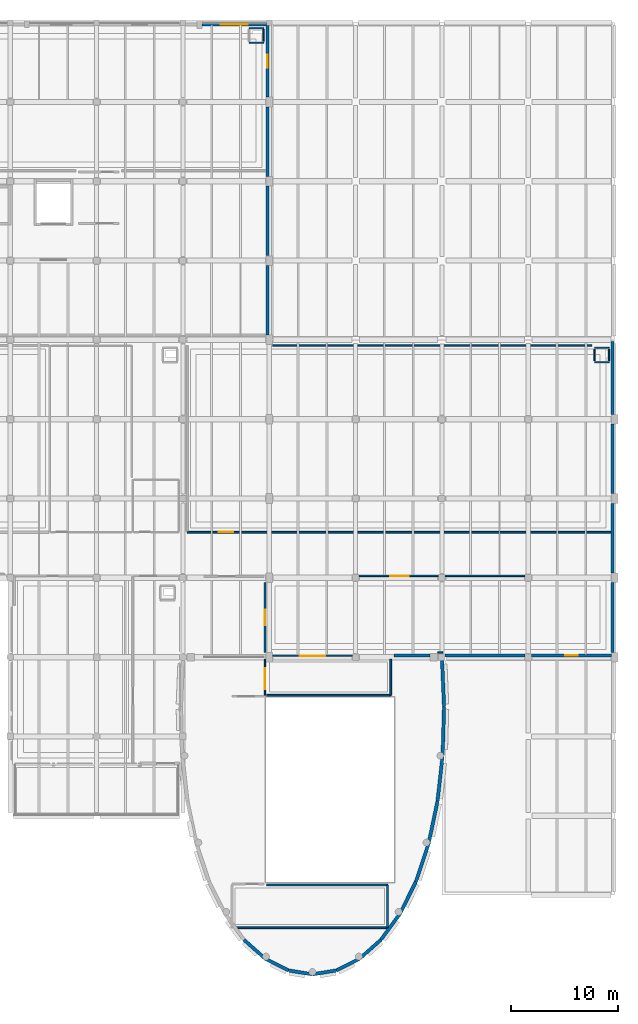
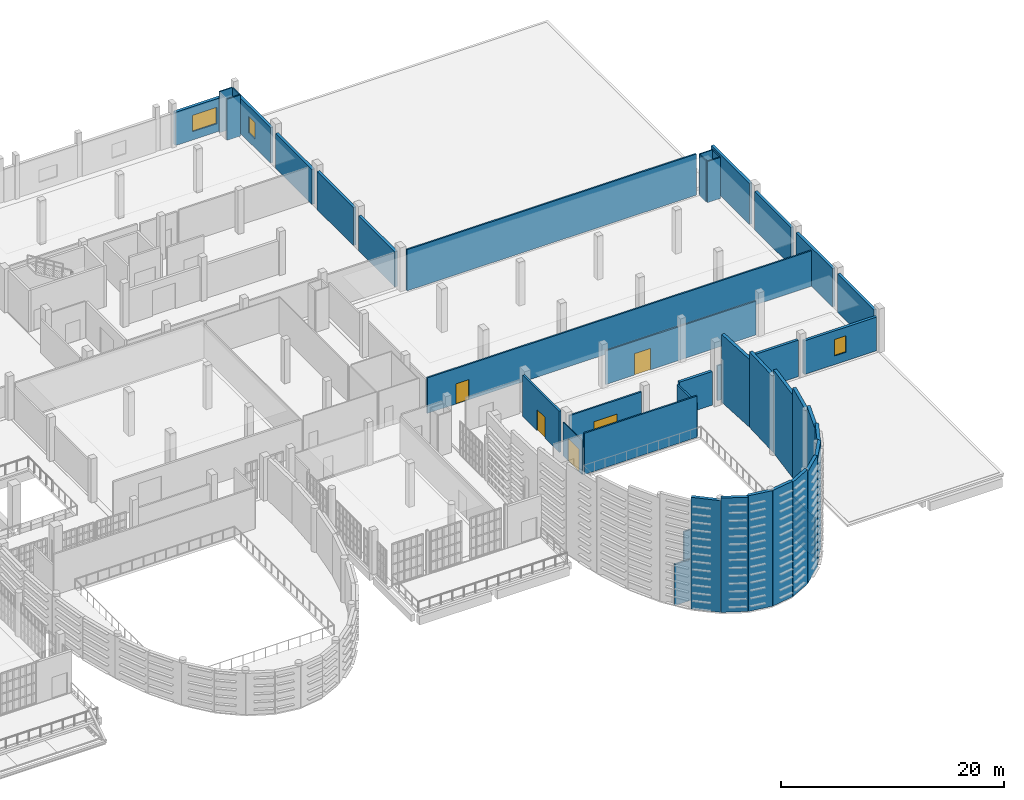
# One storey, part 95 of 104: 44 walls, 4 doors, 4 windows, 8 openings.
"""IFC4 building model written with IfcOpenShell, lengths in metres."""

from ifc_helpers import new_model, si_unit, direction, frame, frame_2d, origin, place, context, subcontext, project, spatial, rectangle, extrude, material, layer, layer_set, type_object, element, fill, save


model = new_model("IFC4")

# Units and contexts
model_context = context("Model", 3, precision=1e-05, world=origin(), true_north=direction((0.0, 1.0)))
body_context = subcontext(model_context, "Body", "Model", "MODEL_VIEW")
ifc_project = project(units=[si_unit("LENGTHUNIT", "METRE"), si_unit("AREAUNIT", "SQUARE_METRE"), si_unit("VOLUMEUNIT", "CUBIC_METRE"), si_unit("PLANEANGLEUNIT", "RADIAN"), si_unit("MASSUNIT", "GRAM", prefix="KILO")], contexts=[model_context])

# Site, building, storey
site_placement = place(None, origin())
site = spatial("IfcSite", under=ifc_project, at=site_placement, CompositionType="ELEMENT")
building_placement = place(site_placement, origin())
building = spatial("IfcBuilding", under=site, at=building_placement, Name="Kaelora Sail Theatre", CompositionType="ELEMENT")
storey_placement = place(building_placement, frame((0.0, 0.0, 5.39990234375)))
storey = spatial("IfcBuildingStorey", under=building, at=storey_placement, Name="L01", CompositionType="ELEMENT", Elevation=5.39990234375)

# Walls
ifc_material_1 = material(Name="Concrete C45/55", Category="concrete")
ifc_layer_1 = layer(ifc_material_1, 0.320068359375)
ifc_layer_set_1 = layer_set([ifc_layer_1], Name="Concrete C45/55")
wall_type_1 = type_object("IfcWallType", Name="ARC-WL-DW-320", PredefinedType="SHEAR", material=ifc_layer_set_1)
wall_1_placement = place(storey_placement, frame((147.300048828125, 53.580078125, 0.0), z_axis=(0.0, 0.0, 1.0), x_axis=(0.042491348944, -0.999096834779, 0.0)))
element("IfcWall", 1, at=wall_1_placement, inside=storey, type_object=wall_type_1, Name="Black-Box and Experimental Sail Wing curved drum acoustic wall L01 chord 1", PredefinedType="SHEAR", context=body_context, shape_type="SweptSolid", body=[
    extrude(rectangle(XDim=4.65966796875, YDim=0.320068359375, at=frame_2d((2.329833984375, 0.0))), origin(), (0.0, 0.0, 1.0), 7.417236328125),
])
wall_2_placement = place(storey_placement, frame((147.498046875, 48.924560546875, 0.0), z_axis=(0.0, 0.0, 1.0), x_axis=(-0.028914192202, -0.99958189734, 0.0)))
element("IfcWall", 2, at=wall_2_placement, inside=storey, type_object=wall_type_1, Name="Black-Box and Experimental Sail Wing curved drum acoustic wall L01 chord 2", PredefinedType="SHEAR", context=body_context, shape_type="SweptSolid", body=[
    extrude(rectangle(XDim=4.542724609375, YDim=0.320068359375, at=frame_2d((2.271484375, 0.0))), origin(), (0.0, 0.0, 1.0), 8.2607421875),
])
wall_3_placement = place(storey_placement, frame((147.36669921875, 44.3837890625, 0.0), z_axis=(0.0, 0.0, 1.0), x_axis=(-0.110727786474, -0.99385077215, 0.0)))
element("IfcWall", 3, at=wall_3_placement, inside=storey, type_object=wall_type_1, Name="Black-Box and Experimental Sail Wing curved drum acoustic wall L01 chord 3", PredefinedType="SHEAR", context=body_context, shape_type="SweptSolid", body=[
    extrude(rectangle(XDim=4.34130859375, YDim=0.320068359375, at=frame_2d((2.170654296875, 0.0))), origin(), (0.0, 0.0, 1.0), 9.084716796875),
])
wall_4_placement = place(storey_placement, frame((146.885986328125, 40.069091796875, 0.0), z_axis=(0.0, 0.0, 1.0), x_axis=(-0.205581027368, -0.978640097884, 0.0)))
element("IfcWall", 4, at=wall_4_placement, inside=storey, type_object=wall_type_1, Name="Black-Box and Experimental Sail Wing curved drum acoustic wall L01 chord 4", PredefinedType="SHEAR", context=body_context, shape_type="SweptSolid", body=[
    extrude(rectangle(XDim=4.068603515625, YDim=0.320068359375, at=frame_2d((2.0341796875, 0.0))), origin(), (0.0, 0.0, 1.0), 9.879150390625),
])
wall_5_placement = place(storey_placement, frame((146.049560546875, 36.08740234375, 0.0), z_axis=(0.0, 0.0, 1.0), x_axis=(-0.316169058551, -0.948702865188, 0.0)))
element("IfcWall", 5, at=wall_5_placement, inside=storey, type_object=wall_type_1, Name="Black-Box and Experimental Sail Wing curved drum acoustic wall L01 chord 5", PredefinedType="SHEAR", context=body_context, shape_type="SweptSolid", body=[
    extrude(rectangle(XDim=3.74267578125, YDim=0.320068359375, at=frame_2d((1.871337890625, 0.0))), origin(), (0.0, 0.0, 1.0), 10.6005859375),
])
wall_6_placement = place(storey_placement, frame((144.8662109375, 32.53662109375, 0.0), z_axis=(0.0, 0.0, 1.0), x_axis=(-0.444413541931, -0.895821747754, 0.0)))
element("IfcWall", 6, at=wall_6_placement, inside=storey, type_object=wall_type_1, Name="Black-Box and Experimental Sail Wing curved drum acoustic wall L01 chord 6", PredefinedType="SHEAR", context=body_context, shape_type="SweptSolid", body=[
    extrude(rectangle(XDim=3.3857421875, YDim=0.320068359375, at=frame_2d((1.69287109375, 0.0))), origin(), (0.0, 0.0, 1.0), 11.2529296875),
])
wall_7_placement = place(storey_placement, frame((143.361572265625, 29.503662109375, 0.0), z_axis=(0.0, 0.0, 1.0), x_axis=(-0.590526669923, -0.80701812378, 0.0)))
element("IfcWall", 7, at=wall_7_placement, inside=storey, type_object=wall_type_1, Name="Black-Box and Experimental Sail Wing curved drum acoustic wall L01 chord 7", PredefinedType="SHEAR", context=body_context, shape_type="SweptSolid", body=[
    extrude(rectangle(XDim=3.0234375, YDim=0.320068359375, at=frame_2d((1.51171875, 0.0))), origin(), (0.0, 0.0, 1.0), 11.79931640625),
])
wall_8_placement = place(storey_placement, frame((141.576171875, 27.063720703125, 0.0), z_axis=(0.0, 0.0, 1.0), x_axis=(-0.747369254982, -0.664408907757, 0.0)))
element("IfcWall", 8, at=wall_8_placement, inside=storey, type_object=wall_type_1, Name="Black-Box and Experimental Sail Wing curved drum acoustic wall L01 chord 8", PredefinedType="SHEAR", context=body_context, shape_type="SweptSolid", body=[
    extrude(rectangle(XDim=2.689697265625, YDim=0.320068359375, at=frame_2d((1.3447265625, 0.0))), origin(), (0.0, 0.0, 1.0), 12.220947265625),
])
wall_9_placement = place(storey_placement, frame((139.56591796875, 25.276611328125, 0.0), z_axis=(0.0, 0.0, 1.0), x_axis=(-0.893358131495, -0.449345355925, 0.0)))
element("IfcWall", 9, at=wall_9_placement, inside=storey, type_object=wall_type_1, Name="Black-Box and Experimental Sail Wing curved drum acoustic wall L01 chord 9", PredefinedType="SHEAR", context=body_context, shape_type="SweptSolid", body=[
    extrude(rectangle(XDim=2.426513671875, YDim=0.320068359375, at=frame_2d((1.21337890625, 0.0))), origin(), (0.0, 0.0, 1.0), 12.50830078125),
])
for number, where, z_axis, x_axis, name in (
    (10, (137.398193359375, 24.186279296875, 0.0), (0.0, 0.0, 1.0), (-0.986992640534, -0.160765442589, 0.0), "Black-Box and Experimental Sail Wing curved drum acoustic wall L01 chord 10"),
    (11, (135.14990234375, 23.820068359375, 0.0), (0.0, 0.0, 1.0), (-0.986992640534, 0.160765442589, 0.0), "Black-Box and Experimental Sail Wing curved drum acoustic wall L01 chord 11"),
):
    element("IfcWall", number, at=place(storey_placement, frame(where, z_axis=z_axis, x_axis=x_axis)), inside=storey, type_object=wall_type_1, Name=name, PredefinedType="SHEAR", context=body_context, shape_type="SweptSolid", body=[
        extrude(rectangle(XDim=2.27783203125, YDim=0.320068359375, at=frame_2d((1.138916015625, 0.0))), origin(), (0.0, 0.0, 1.0), 12.653564453125),
    ])
wall_10_placement = place(storey_placement, frame((132.901611328125, 24.186279296875, 0.0), z_axis=(0.0, 0.0, 1.0), x_axis=(-0.893337813511, 0.449385748495, 0.0)))
element("IfcWall", 12, at=wall_10_placement, inside=storey, type_object=wall_type_1, Name="Black-Box and Experimental Sail Wing curved drum acoustic wall L01 chord 12", PredefinedType="SHEAR", context=body_context, shape_type="SweptSolid", body=[
    extrude(rectangle(XDim=2.42626953125, YDim=0.320068359375, at=frame_2d((1.213134765625, 0.0))), origin(), (0.0, 0.0, 1.0), 12.50830078125),
])
wall_11_placement = place(storey_placement, frame((130.734130859375, 25.276611328125, 0.0), z_axis=(0.0, 0.0, 1.0), x_axis=(-0.747369254982, 0.664408907757, 0.0)))
element("IfcWall", 13, at=wall_11_placement, inside=storey, type_object=wall_type_1, Name="Black-Box and Experimental Sail Wing curved drum acoustic wall L01 chord 13", PredefinedType="SHEAR", context=body_context, shape_type="SweptSolid", body=[
    extrude(rectangle(XDim=2.689697265625, YDim=0.320068359375, at=frame_2d((1.3447265625, 0.0))), origin(), (0.0, 0.0, 1.0), 12.220947265625),
])
ifc_material_2 = material(Name="Precast concrete C45/55", Category="concrete")
ifc_layer_2 = layer(ifc_material_2, 0.280029296875)
ifc_layer_set_2 = layer_set([ifc_layer_2], Name="Precast concrete C45/55")
wall_type_2 = type_object("IfcWallType", Name="ARC-WL-EW-280", PredefinedType="SOLIDWALL", material=ifc_layer_set_2)
wall_12_placement = place(storey_placement, frame((130.919921875, 83.794921875, 0.0), z_axis=(0.0, 0.0, 1.0), x_axis=(0.0, 1.0, 0.0)))
element("IfcWall", 14, at=wall_12_placement, inside=storey, type_object=wall_type_2, Name="Stepped Wing Facade Wall STEP-NW4-E-L01-S1", PredefinedType="SOLIDWALL", context=body_context, shape_type="SweptSolid", body=[
    extrude(rectangle(XDim=6.530029296875, YDim=0.280029296875, at=frame_2d((3.26513671875, 0.0))), origin(), (0.0, 0.0, 1.0), 3.837158203125),
])
wall_13_placement = place(storey_placement, frame((130.919921875, 91.235107421875, 0.0), z_axis=(0.0, 0.0, 1.0), x_axis=(0.0, 1.0, 0.0)))
element("IfcWall", 15, at=wall_13_placement, inside=storey, type_object=wall_type_2, Name="Stepped Wing Facade Wall STEP-NW4-E-L01-S2", PredefinedType="SOLIDWALL", context=body_context, shape_type="SweptSolid", body=[
    extrude(rectangle(XDim=6.52978515625, YDim=0.280029296875, at=frame_2d((3.264892578125, 0.0))), origin(), (0.0, 0.0, 1.0), 4.177001953125),
])
wall_14_placement = place(storey_placement, frame((130.919921875, 98.675048828125, 0.0), z_axis=(0.0, 0.0, 1.0), x_axis=(0.0, 1.0, 0.0)))
element("IfcWall", 16, at=wall_14_placement, inside=storey, type_object=wall_type_2, Name="Stepped Wing Facade Wall STEP-NW4-E-L01-S3", PredefinedType="SOLIDWALL", context=body_context, shape_type="SweptSolid", body=[
    extrude(rectangle(XDim=6.530029296875, YDim=0.280029296875, at=frame_2d((3.26513671875, 0.0))), origin(), (0.0, 0.0, 1.0), 3.837158203125),
])

# Wall, opening, window
wall_15_placement = place(storey_placement, frame((130.919921875, 106.114990234375, 0.0), z_axis=(0.0, 0.0, 1.0), x_axis=(0.0, 1.0, 0.0)))
wall_15 = element("IfcWall", 17, at=wall_15_placement, inside=storey, type_object=wall_type_2, Name="Stepped Wing Facade Wall STEP-NW4-E-L01-S4", PredefinedType="SOLIDWALL", context=body_context, shape_type="SweptSolid", body=[
    extrude(rectangle(XDim=6.72998046875, YDim=0.280029296875, at=frame_2d((3.364990234375, 0.0))), origin(), (0.0, 0.0, 1.0), 3.88720703125),
])
opening_1_placement = place(wall_15_placement, frame((2.764892578125, 0.0, 0.949951171875)))
opening_1 = element("IfcOpeningElement", 18, at=opening_1_placement, cuts=wall_15, Name="Opening W-05", PredefinedType="OPENING", context=body_context, shape_type="SweptSolid", body=[
    extrude(rectangle(XDim=1.199951171875, YDim=1.800048828125, at=frame_2d((0.60009765625, 0.89990234375))), frame((0.0, 0.150137, 0.0), z_axis=(0.0, -1.0, 0.0), x_axis=(1.0, 0.0, 0.0)), (0.0, 0.0, 1.0), 0.300029),
])
ifc_material_3 = material(Name="Thermally broken aluminium and low-E double glazing", Category="aluminium")
window_type_1 = type_object("IfcWindowType", Name="ARC-WIN-W-05", PartitioningType="SINGLE_PANEL", PredefinedType="WINDOW", material=ifc_material_3)
window_1_placement = place(opening_1_placement, origin())
window_1 = element("IfcWindow", 19, at=window_1_placement, inside=storey, type_object=window_type_1, Name="Stepped Wing Window STEP-NW4-E-L01-S4", OverallHeight=1.800048828125, OverallWidth=1.199951171875, PartitioningType="SINGLE_PANEL", PredefinedType="WINDOW", context=body_context, shape_type="SweptSolid", body=[
    extrude(rectangle(XDim=1.199951171875, YDim=1.800048828125, at=frame_2d((0.60009765625, 0.89990234375))), frame((0.0, 0.030029296875, 0.0), z_axis=(0.0, -1.0, 0.0), x_axis=(1.0, 0.0, 0.0)), (0.0, 0.0, 1.0), 0.06005859375),
])
fill(opening_1, window_1)

# Walls
wall_16_placement = place(storey_placement, frame((142.800048828125, 53.719970703125, 0.0), z_axis=(0.0, 0.0, 1.0), x_axis=(1.0, 0.0, 0.0)))
element("IfcWall", 20, at=wall_16_placement, inside=storey, type_object=wall_type_2, Name="Stepped Wing Facade Wall FE1-S-L01-S1", PredefinedType="SOLIDWALL", context=body_context, shape_type="SweptSolid", body=[
    extrude(rectangle(XDim=3.39501953125, YDim=0.280029296875, at=frame_2d((1.697509765625, 0.0))), origin(), (0.0, 0.0, 1.0), 3.68701171875),
])
wall_17_placement = place(storey_placement, frame((147.60498046875, 53.719970703125, 0.0), z_axis=(0.0, 0.0, 1.0), x_axis=(1.0, 0.0, 0.0)))
element("IfcWall", 21, at=wall_17_placement, inside=storey, type_object=wall_type_2, Name="Stepped Wing Facade Wall FE1-S-L01-S2", PredefinedType="SOLIDWALL", context=body_context, shape_type="SweptSolid", body=[
    extrude(rectangle(XDim=7.489990234375, YDim=0.280029296875, at=frame_2d((3.7451171875, 0.0))), origin(), (0.0, 0.0, 1.0), 3.987060546875),
])

# Wall, opening, window
wall_18_placement = place(storey_placement, frame((155.705078125, 53.719970703125, 0.0), z_axis=(0.0, 0.0, 1.0), x_axis=(1.0, 0.0, 0.0)))
wall_18 = element("IfcWall", 22, at=wall_18_placement, inside=storey, type_object=wall_type_2, Name="Stepped Wing Facade Wall FE1-S-L01-S3", PredefinedType="SOLIDWALL", context=body_context, shape_type="SweptSolid", body=[
    extrude(rectangle(XDim=7.489990234375, YDim=0.280029296875, at=frame_2d((3.7451171875, 0.0))), origin(), (0.0, 0.0, 1.0), 3.68701171875),
])
opening_2_placement = place(wall_18_placement, frame((3.14501953125, 0.0, 0.949951171875)))
opening_2 = element("IfcOpeningElement", 23, at=opening_2_placement, cuts=wall_18, Name="Opening W-05", PredefinedType="OPENING", context=body_context, shape_type="SweptSolid", body=[
    extrude(rectangle(XDim=1.199951171875, YDim=1.800048828125, at=frame_2d((0.60009765625, 0.89990234375))), frame((0.0, 0.150137, 0.0), z_axis=(0.0, -1.0, 0.0), x_axis=(1.0, 0.0, 0.0)), (0.0, 0.0, 1.0), 0.300029),
])
window_2_placement = place(opening_2_placement, origin())
window_2 = element("IfcWindow", 24, at=window_2_placement, inside=storey, type_object=window_type_1, Name="Stepped Wing Window FE1-S-L01-S3", OverallHeight=1.800048828125, OverallWidth=1.199951171875, PartitioningType="SINGLE_PANEL", PredefinedType="WINDOW", context=body_context, shape_type="SweptSolid", body=[
    extrude(rectangle(XDim=1.199951171875, YDim=1.800048828125, at=frame_2d((0.60009765625, 0.89990234375))), frame((0.0, 0.030029296875, 0.0), z_axis=(0.0, -1.0, 0.0), x_axis=(1.0, 0.0, 0.0)), (0.0, 0.0, 1.0), 0.06005859375),
])
fill(opening_2, window_2)

# Walls
wall_19_placement = place(storey_placement, frame((163.320068359375, 54.034912109375, 0.0), z_axis=(0.0, 0.0, 1.0), x_axis=(0.0, 1.0, 0.0)))
element("IfcWall", 25, at=wall_19_placement, inside=storey, type_object=wall_type_2, Name="Stepped Wing Facade Wall EWAL-FE1-L01-S1", PredefinedType="SOLIDWALL", context=body_context, shape_type="SweptSolid", body=[
    extrude(rectangle(XDim=6.530029296875, YDim=0.280029296875, at=frame_2d((3.26513671875, 0.0))), origin(), (0.0, 0.0, 1.0), 4.18701171875),
])
wall_20_placement = place(storey_placement, frame((163.320068359375, 61.47509765625, 0.0), z_axis=(0.0, 0.0, 1.0), x_axis=(0.0, 1.0, 0.0)))
element("IfcWall", 26, at=wall_20_placement, inside=storey, type_object=wall_type_2, Name="Stepped Wing Facade Wall EWAL-FE1-L01-S2", PredefinedType="SOLIDWALL", context=body_context, shape_type="SweptSolid", body=[
    extrude(rectangle(XDim=6.52978515625, YDim=0.280029296875, at=frame_2d((3.264892578125, 0.0))), origin(), (0.0, 0.0, 1.0), 4.18701171875),
])
wall_21_placement = place(storey_placement, frame((163.320068359375, 68.9150390625, 0.0), z_axis=(0.0, 0.0, 1.0), x_axis=(0.0, 1.0, 0.0)))
element("IfcWall", 27, at=wall_21_placement, inside=storey, type_object=wall_type_2, Name="Stepped Wing Facade Wall EWAL-FE1-L01-S3", PredefinedType="SOLIDWALL", context=body_context, shape_type="SweptSolid", body=[
    extrude(rectangle(XDim=6.530029296875, YDim=0.280029296875, at=frame_2d((3.26513671875, 0.0))), origin(), (0.0, 0.0, 1.0), 4.18701171875),
])
wall_22_placement = place(storey_placement, frame((163.320068359375, 76.35498046875, 0.0), z_axis=(0.0, 0.0, 1.0), x_axis=(0.0, 1.0, 0.0)))
element("IfcWall", 28, at=wall_22_placement, inside=storey, type_object=wall_type_2, Name="Stepped Wing Facade Wall EWAL-FE1-L01-S4", PredefinedType="SOLIDWALL", context=body_context, shape_type="SweptSolid", body=[
    extrude(rectangle(XDim=6.844970703125, YDim=0.280029296875, at=frame_2d((3.42236328125, 0.0))), origin(), (0.0, 0.0, 1.0), 4.505126953125),
])

# Wall, opening, window
ifc_material_4 = material(Name="Concrete C40/50", Category="concrete")
ifc_layer_3 = layer(ifc_material_4, 0.300048828125)
ifc_layer_set_3 = layer_set([ifc_layer_3], Name="Concrete C40/50")
wall_type_3 = type_object("IfcWallType", Name="ARC-WL-EW-300", PredefinedType="SOLIDWALL", material=ifc_layer_set_3)
wall_23_placement = place(storey_placement, frame((124.780029296875, 112.919921875, 0.0), z_axis=(0.0, 0.0, 1.0), x_axis=(1.0, 0.0, 0.0)))
wall_23 = element("IfcWall", 29, at=wall_23_placement, inside=storey, type_object=wall_type_3, Name="North Conservatory/Production Facade Wall L01 B16", PredefinedType="SOLIDWALL", context=body_context, shape_type="SweptSolid", body=[
    extrude(rectangle(XDim=6.06494140625, YDim=0.300048828125, at=frame_2d((3.032470703125, 0.0))), origin(), (0.0, 0.0, 1.0), 3.63720703125),
])
opening_3_placement = place(wall_23_placement, frame((1.781982421875, 0.0, 0.89990234375)))
opening_3 = element("IfcOpeningElement", 30, at=opening_3_placement, cuts=wall_23, Name="Opening W-25", PredefinedType="OPENING", context=body_context, shape_type="SweptSolid", body=[
    extrude(rectangle(XDim=2.5, YDim=1.800048828125, at=frame_2d((1.25, 0.89990234375))), frame((0.0, 0.159902, 0.0), z_axis=(0.0, -1.0, 0.0), x_axis=(1.0, 0.0, 0.0)), (0.0, 0.0, 1.0), 0.320049),
])
ifc_material_5 = material(Name="Thermally broken aluminium and low-E double glazing", Category="aluminium")
window_type_2 = type_object("IfcWindowType", Name="ARC-WIN-W-25", PartitioningType="SINGLE_PANEL", PredefinedType="WINDOW", material=ifc_material_5)
window_3_placement = place(opening_3_placement, origin())
window_3 = element("IfcWindow", 31, at=window_3_placement, inside=storey, type_object=window_type_2, Name="North facade window L01 B16", OverallHeight=1.800048828125, OverallWidth=2.5, PartitioningType="SINGLE_PANEL", PredefinedType="WINDOW", context=body_context, shape_type="SweptSolid", body=[
    extrude(rectangle(XDim=2.5, YDim=1.800048828125, at=frame_2d((1.25, 0.89990234375))), frame((0.0, 0.030029296875, 0.0), z_axis=(0.0, -1.0, 0.0), x_axis=(1.0, 0.0, 0.0)), (0.0, 0.0, 1.0), 0.06005859375),
])
fill(opening_3, window_3)

# Wall, opening, door
ifc_material_6 = material(Name="Office acoustic stud partition 110 mm", Category="gypsum")
ifc_layer_4 = layer(ifc_material_6, 0.110107421875)
ifc_layer_set_4 = layer_set([ifc_layer_4], Name="Office acoustic stud partition 110 mm")
wall_type_4 = type_object("IfcWallType", Name="ARC-WL-PT-110", PredefinedType="PARTITIONING", material=ifc_layer_set_4)
wall_24_placement = place(storey_placement, frame((130.699951171875, 50.0, 0.0), z_axis=(0.0, 0.0, 1.0), x_axis=(0.0, 1.0, 0.0)))
wall_24 = element("IfcWall", 32, at=wall_24_placement, inside=storey, type_object=wall_type_4, Name="Interior acoustic partition L01-GAL-BB-NLOB/L01-GAL-BB-N", PredefinedType="PARTITIONING", context=body_context, shape_type="SweptSolid", body=[
    extrude(rectangle(XDim=3.39990234375, YDim=0.110107421875, at=frame_2d((1.699951171875, 0.0))), origin(), (0.0, 0.0, 1.0), 3.68701171875),
])
opening_4_placement = place(wall_24_placement, frame((0.580078125, 0.0, 0.0)))
opening_4 = element("IfcOpeningElement", 33, at=opening_4_placement, cuts=wall_24, Name="Opening ID-10", PredefinedType="OPENING", context=body_context, shape_type="SweptSolid", body=[
    extrude(rectangle(XDim=1.949951171875, YDim=2.449951171875, at=frame_2d((0.97509765625, 1.22509765625))), frame((0.0, 0.065176, 0.0), z_axis=(0.0, -1.0, 0.0), x_axis=(1.0, 0.0, 0.0)), (0.0, 0.0, 1.0), 0.130107),
])
ifc_material_7 = material(Name="Foyer hospitality glazed double door", Category="steel")
door_type_1 = type_object("IfcDoorType", Name="ARC-DR-ID-10", OperationType="NOTDEFINED", PredefinedType="DOOR", material=ifc_material_7)
door_1_placement = place(opening_4_placement, origin())
door_1 = element("IfcDoor", 34, at=door_1_placement, inside=storey, type_object=door_type_1, Name="Interior door L01-GAL-BB-NLOB to L01-GAL-BB-N", OperationType="DOUBLE_DOOR_SINGLE_SWING", OverallHeight=2.449951171875, OverallWidth=1.949951171875, PredefinedType="DOOR", context=body_context, shape_type="SweptSolid", body=[
    extrude(rectangle(XDim=1.949951171875, YDim=2.449951171875, at=frame_2d((0.97509765625, 1.22509765625))), frame((0.0, 0.02490234375, 0.0), z_axis=(0.0, -1.0, 0.0), x_axis=(1.0, 0.0, 0.0)), (0.0, 0.0, 1.0), 0.050048828125),
])
fill(opening_4, door_1)

# Walls
ifc_material_8 = material(Name="Standard metal-stud partition 120 mm", Category="gypsum")
ifc_layer_5 = layer(ifc_material_8, 0.1201171875)
ifc_layer_set_5 = layer_set([ifc_layer_5], Name="Standard metal-stud partition 120 mm")
wall_type_5 = type_object("IfcWallType", Name="ARC-WL-PT-120", PredefinedType="PARTITIONING", material=ifc_layer_set_5)
for number, where, z_axis, x_axis, name in (
    (35, (129.205078125, 111.219970703125, 0.0), (0.0, 0.0, 1.0), (1.0, 0.0, 0.0), "MEP riser shaft wall NW4-L01-S"),
    (36, (129.205078125, 112.580078125, 0.0), (0.0, 0.0, 1.0), (1.0, 0.0, 0.0), "MEP riser shaft wall NW4-L01-N"),
):
    element("IfcWall", number, at=place(storey_placement, frame(where, z_axis=z_axis, x_axis=x_axis)), inside=storey, type_object=wall_type_5, Name=name, PredefinedType="PARTITIONING", context=body_context, shape_type="SweptSolid", body=[
        extrude(rectangle(XDim=1.35986328125, YDim=0.1201171875, at=frame_2d((0.679931640625, 0.0))), origin(), (0.0, 0.0, 1.0), 4.505126953125),
    ])
wall_25_placement = place(storey_placement, frame((130.56494140625, 111.340087890625, 0.0), z_axis=(0.0, 0.0, 1.0), x_axis=(0.0, 1.0, 0.0)))
element("IfcWall", 37, at=wall_25_placement, inside=storey, type_object=wall_type_5, Name="MEP riser shaft wall NW4-L01-E", PredefinedType="PARTITIONING", context=body_context, shape_type="SweptSolid", body=[
    extrude(rectangle(XDim=1.119873046875, YDim=0.1201171875, at=frame_2d((0.56005859375, 0.0))), origin(), (0.0, 0.0, 1.0), 4.505126953125),
])
for number, where, z_axis, x_axis, name in (
    (38, (161.6201171875, 81.2451171875, 0.0), (0.0, 0.0, 1.0), (1.0, 0.0, 0.0), "MEP riser shaft wall FE1-L01-S"),
    (39, (161.6201171875, 82.60498046875, 0.0), (0.0, 0.0, 1.0), (1.0, 0.0, 0.0), "MEP riser shaft wall FE1-L01-N"),
):
    element("IfcWall", number, at=place(storey_placement, frame(where, z_axis=z_axis, x_axis=x_axis)), inside=storey, type_object=wall_type_5, Name=name, PredefinedType="PARTITIONING", context=body_context, shape_type="SweptSolid", body=[
        extrude(rectangle(XDim=1.35986328125, YDim=0.1201171875, at=frame_2d((0.679931640625, 0.0))), origin(), (0.0, 0.0, 1.0), 4.505126953125),
    ])
for number, where, z_axis, x_axis, name in (
    (40, (161.6201171875, 81.364990234375, 0.0), (0.0, 0.0, 1.0), (0.0, 1.0, 0.0), "MEP riser shaft wall FE1-L01-W"),
    (41, (162.97998046875, 81.364990234375, 0.0), (0.0, 0.0, 1.0), (0.0, 1.0, 0.0), "MEP riser shaft wall FE1-L01-E"),
):
    element("IfcWall", number, at=place(storey_placement, frame(where, z_axis=z_axis, x_axis=x_axis)), inside=storey, type_object=wall_type_5, Name=name, PredefinedType="PARTITIONING", context=body_context, shape_type="SweptSolid", body=[
        extrude(rectangle(XDim=1.1201171875, YDim=0.1201171875, at=frame_2d((0.56005859375, 0.0))), origin(), (0.0, 0.0, 1.0), 4.505126953125),
    ])

# Wall, opening, door
ifc_material_9 = material(Name="Fire-rated stud partition 140 mm", Category="gypsum")
ifc_layer_6 = layer(ifc_material_9, 0.139892578125)
ifc_layer_set_6 = layer_set([ifc_layer_6], Name="Fire-rated stud partition 140 mm")
wall_type_6 = type_object("IfcWallType", Name="ARC-WL-PT-140", PredefinedType="PARTITIONING", material=ifc_layer_set_6)
wall_26_placement = place(storey_placement, frame((139.5048828125, 61.199951171875, 0.0), z_axis=(0.0, 0.0, 1.0), x_axis=(1.0, 0.0, 0.0)))
wall_26 = element("IfcWall", 42, at=wall_26_placement, inside=storey, type_object=wall_type_6, Name="Interior acoustic partition L01-COR-FOYC/L01-MEDIA-LAB", PredefinedType="PARTITIONING", context=body_context, shape_type="SweptSolid", body=[
    extrude(rectangle(XDim=15.590087890625, YDim=0.139892578125, at=frame_2d((7.794921875, 0.0))), origin(), (0.0, 0.0, 1.0), 3.68701171875),
])
opening_5_placement = place(wall_26_placement, frame((2.967041015625, 0.0, 0.0)))
opening_5 = element("IfcOpeningElement", 43, at=opening_5_placement, cuts=wall_26, Name="Opening ID-09", PredefinedType="OPENING", context=body_context, shape_type="SweptSolid", body=[
    extrude(rectangle(XDim=1.699951171875, YDim=2.35009765625, at=frame_2d((0.85009765625, 1.175048828125))), frame((0.0, 0.079824, 0.0), z_axis=(0.0, -1.0, 0.0), x_axis=(1.0, 0.0, 0.0)), (0.0, 0.0, 1.0), 0.159893),
])
ifc_material_10 = material(Name="Ballet studio acoustic double door", Category="steel")
door_type_2 = type_object("IfcDoorType", Name="ARC-DR-ID-09", OperationType="NOTDEFINED", PredefinedType="DOOR", material=ifc_material_10)
door_2_placement = place(opening_5_placement, origin())
door_2 = element("IfcDoor", 44, at=door_2_placement, inside=storey, type_object=door_type_2, Name="Interior door L01-COR-FOYC to L01-MEDIA-LAB", OperationType="DOUBLE_DOOR_SINGLE_SWING", OverallHeight=2.35009765625, OverallWidth=1.699951171875, PredefinedType="DOOR", context=body_context, shape_type="SweptSolid", body=[
    extrude(rectangle(XDim=1.699951171875, YDim=2.35009765625, at=frame_2d((0.85009765625, 1.175048828125))), frame((0.0, 0.02490234375, 0.0), z_axis=(0.0, -1.0, 0.0), x_axis=(1.0, 0.0, 0.0)), (0.0, 0.0, 1.0), 0.050048828125),
])
fill(opening_5, door_2)

ifc_material_11 = material(Name="Acoustic metal-stud plasterboard 160 mm", Category="gypsum")
ifc_layer_7 = layer(ifc_material_11, 0.159912109375)
ifc_layer_set_7 = layer_set([ifc_layer_7], Name="Acoustic metal-stud plasterboard 160 mm")
wall_type_7 = type_object("IfcWallType", Name="ARC-WL-PT-160", PredefinedType="PARTITIONING", material=ifc_layer_set_7)
wall_27_placement = place(storey_placement, frame((123.39990234375, 65.300048828125, 0.0), z_axis=(0.0, 0.0, 1.0), x_axis=(1.0, 0.0, 0.0)))
wall_27 = element("IfcWall", 45, at=wall_27_placement, inside=storey, type_object=wall_type_7, Name="Interior acoustic partition L01-COR-FOYC/L01-EXHIB", PredefinedType="PARTITIONING", context=body_context, shape_type="SweptSolid", body=[
    extrude(rectangle(XDim=39.840087890625, YDim=0.159912109375, at=frame_2d((19.919921875, 0.0))), origin(), (0.0, 0.0, 1.0), 3.88720703125),
])
opening_6_placement = place(wall_27_placement, frame((2.97607421875, 0.0, 0.0)))
opening_6 = element("IfcOpeningElement", 46, at=opening_6_placement, cuts=wall_27, Name="Opening ID-08", PredefinedType="OPENING", context=body_context, shape_type="SweptSolid", body=[
    extrude(rectangle(XDim=1.35009765625, YDim=2.199951171875, at=frame_2d((0.675048828125, 1.10009765625))), frame((0.0, 0.090078, 0.0), z_axis=(0.0, -1.0, 0.0), x_axis=(1.0, 0.0, 0.0)), (0.0, 0.0, 1.0), 0.179912),
])
ifc_material_12 = material(Name="Instrument & libretto leaf-and-a-half door", Category="steel")
door_type_3 = type_object("IfcDoorType", Name="ARC-DR-ID-08", OperationType="NOTDEFINED", PredefinedType="DOOR", material=ifc_material_12)
door_3_placement = place(opening_6_placement, origin())
door_3 = element("IfcDoor", 47, at=door_3_placement, inside=storey, type_object=door_type_3, Name="Interior door L01-COR-FOYC to L01-EXHIB", OperationType="SINGLE_SWING_RIGHT", OverallHeight=2.199951171875, OverallWidth=1.35009765625, PredefinedType="DOOR", context=body_context, shape_type="SweptSolid", body=[
    extrude(rectangle(XDim=1.35009765625, YDim=2.199951171875, at=frame_2d((0.675048828125, 1.10009765625))), frame((0.0, 0.02490234375, 0.0), z_axis=(0.0, -1.0, 0.0), x_axis=(1.0, 0.0, 0.0)), (0.0, 0.0, 1.0), 0.050048828125),
])
fill(opening_6, door_3)

# Walls
wall_28_placement = place(storey_placement, frame((127.60009765625, 28.199951171875, 0.0), z_axis=(0.0, 0.0, 1.0), x_axis=(1.0, 0.0, 0.0)))
element("IfcWall", 48, at=wall_28_placement, inside=storey, type_object=wall_type_7, Name="Room enclosure wall L01-GAL-BB-S-S1", PredefinedType="PARTITIONING", context=body_context, shape_type="SweptSolid", body=[
    extrude(rectangle(XDim=14.599853515625, YDim=0.159912109375, at=frame_2d((7.2998046875, 0.0))), origin(), (0.0, 0.0, 1.0), 4.505126953125),
])
wall_29_placement = place(storey_placement, frame((130.85009765625, 32.199951171875, 0.0), z_axis=(0.0, 0.0, 1.0), x_axis=(1.0, 0.0, 0.0)))
element("IfcWall", 49, at=wall_29_placement, inside=storey, type_object=wall_type_7, Name="Room enclosure wall L01-GAL-BB-S-N1", PredefinedType="PARTITIONING", context=body_context, shape_type="SweptSolid", body=[
    extrude(rectangle(XDim=11.349853515625, YDim=0.159912109375, at=frame_2d((5.6748046875, 0.0))), origin(), (0.0, 0.0, 1.0), 4.505126953125),
])
wall_30_placement = place(storey_placement, frame((142.199951171875, 28.199951171875, 0.0), z_axis=(0.0, 0.0, 1.0), x_axis=(0.0, 1.0, 0.0)))
element("IfcWall", 50, at=wall_30_placement, inside=storey, type_object=wall_type_7, Name="Room enclosure wall L01-GAL-BB-S-E1", PredefinedType="PARTITIONING", context=body_context, shape_type="SweptSolid", body=[
    extrude(rectangle(XDim=4.0, YDim=0.159912109375, at=frame_2d((2.0, 0.0))), origin(), (0.0, 0.0, 1.0), 4.505126953125),
])
wall_31_placement = place(storey_placement, frame((130.85009765625, 50.0, 0.0), z_axis=(0.0, 0.0, 1.0), x_axis=(1.0, 0.0, 0.0)))
element("IfcWall", 51, at=wall_31_placement, inside=storey, type_object=wall_type_7, Name="Room enclosure wall L01-GAL-BB-N-S1", PredefinedType="PARTITIONING", context=body_context, shape_type="SweptSolid", body=[
    extrude(rectangle(XDim=11.64990234375, YDim=0.159912109375, at=frame_2d((5.824951171875, 0.0))), origin(), (0.0, 0.0, 1.0), 4.505126953125),
])
wall_32_placement = place(storey_placement, frame((142.5, 50.0, 0.0), z_axis=(0.0, 0.0, 1.0), x_axis=(0.0, 1.0, 0.0)))
element("IfcWall", 52, at=wall_32_placement, inside=storey, type_object=wall_type_7, Name="Room enclosure wall L01-GAL-BB-N-E1", PredefinedType="PARTITIONING", context=body_context, shape_type="SweptSolid", body=[
    extrude(rectangle(XDim=3.39990234375, YDim=0.159912109375, at=frame_2d((1.699951171875, 0.0))), origin(), (0.0, 0.0, 1.0), 3.68701171875),
])
wall_33_placement = place(storey_placement, frame((131.419921875, 82.800048828125, 0.0), z_axis=(0.0, 0.0, 1.0), x_axis=(1.0, 0.0, 0.0)))
element("IfcWall", 53, at=wall_33_placement, inside=storey, type_object=wall_type_7, Name="Room enclosure wall L01-EXHIB-N1", PredefinedType="PARTITIONING", context=body_context, shape_type="SweptSolid", body=[
    extrude(rectangle(XDim=29.9501953125, YDim=0.159912109375, at=frame_2d((14.97509765625, 0.0))), origin(), (0.0, 0.0, 1.0), 4.505126953125),
])
wall_34_placement = place(storey_placement, frame((146.919921875, 54.0, 0.0), z_axis=(0.0, 0.0, 1.0), x_axis=(1.0, 0.0, 0.0)))
element("IfcWall", 54, at=wall_34_placement, inside=storey, type_object=wall_type_7, Name="Room enclosure wall L01-MEDIA-LAB-S1", PredefinedType="PARTITIONING", context=body_context, shape_type="SweptSolid", body=[
    extrude(rectangle(XDim=0.43505859375, YDim=0.159912109375, at=frame_2d((0.217529296875, 0.0))), origin(), (0.0, 0.0, 1.0), 3.837158203125),
])

# Wall, opening, window
ifc_material_13 = material(Name="Workshop acoustic stud partition 170 mm", Category="gypsum")
ifc_layer_8 = layer(ifc_material_13, 0.169921875)
ifc_layer_set_8 = layer_set([ifc_layer_8], Name="Workshop acoustic stud partition 170 mm")
wall_type_8 = type_object("IfcWallType", Name="ARC-WL-PT-170", PredefinedType="PARTITIONING", material=ifc_layer_set_8)
wall_35_placement = place(storey_placement, frame((131.405029296875, 53.699951171875, 0.0), z_axis=(0.0, 0.0, 1.0), x_axis=(1.0, 0.0, 0.0)))
wall_35 = element("IfcWall", 55, at=wall_35_placement, inside=storey, type_object=wall_type_8, Name="Interior acoustic partition L01-GAL-BB-N/L01-MEDIA-LAB", PredefinedType="PARTITIONING", context=body_context, shape_type="SweptSolid", body=[
    extrude(rectangle(XDim=7.489990234375, YDim=0.169921875, at=frame_2d((3.7451171875, 0.0))), origin(), (0.0, 0.0, 1.0), 3.987060546875),
])
opening_7_placement = place(wall_35_placement, frame((2.544921875, 0.0, 1.050048828125)))
opening_7 = element("IfcOpeningElement", 56, at=opening_7_placement, cuts=wall_35, Name="Opening IW-01", PredefinedType="OPENING", context=body_context, shape_type="SweptSolid", body=[
    extrude(rectangle(XDim=2.39990234375, YDim=1.39990234375, at=frame_2d((1.199951171875, 0.699951171875))), frame((0.0, 0.094961, 0.0), z_axis=(0.0, -1.0, 0.0), x_axis=(1.0, 0.0, 0.0)), (0.0, 0.0, 1.0), 0.189922),
])
ifc_material_14 = material(Name="Triple-glazed acoustic control-booth observation window", Category="glass")
window_type_3 = type_object("IfcWindowType", Name="ARC-WIN-IW-01", PartitioningType="SINGLE_PANEL", PredefinedType="WINDOW", material=ifc_material_14)
window_4_placement = place(opening_7_placement, origin())
window_4 = element("IfcWindow", 57, at=window_4_placement, inside=storey, type_object=window_type_3, Name="Control booth acoustic observation window L01-GAL-BB-N", OverallHeight=1.39990234375, OverallWidth=2.39990234375, PartitioningType="SINGLE_PANEL", PredefinedType="WINDOW", context=body_context, shape_type="SweptSolid", body=[
    extrude(rectangle(XDim=2.39990234375, YDim=1.39990234375, at=frame_2d((1.199951171875, 0.699951171875))), frame((0.0, 0.030029296875, 0.0), z_axis=(0.0, -1.0, 0.0), x_axis=(1.0, 0.0, 0.0)), (0.0, 0.0, 1.0), 0.06005859375),
])
fill(opening_7, window_4)

# Wall, opening, door
ifc_material_15 = material(Name="Studio box-in-box acoustic partition 215 mm", Category="gypsum")
ifc_layer_9 = layer(ifc_material_15, 0.215087890625)
ifc_layer_set_9 = layer_set([ifc_layer_9], Name="Studio box-in-box acoustic partition 215 mm")
wall_type_9 = type_object("IfcWallType", Name="ARC-WL-PT-215", PredefinedType="PARTITIONING", material=ifc_layer_set_9)
wall_36_placement = place(storey_placement, frame((130.699951171875, 54.034912109375, 0.0), z_axis=(0.0, 0.0, 1.0), x_axis=(0.0, 1.0, 0.0)))
wall_36 = element("IfcWall", 58, at=wall_36_placement, inside=storey, type_object=wall_type_9, Name="Interior acoustic partition L01-GAL-BB-NLOB/L01-MEDIA-LAB", PredefinedType="PARTITIONING", context=body_context, shape_type="SweptSolid", body=[
    extrude(rectangle(XDim=6.530029296875, YDim=0.215087890625, at=frame_2d((3.26513671875, 0.0))), origin(), (0.0, 0.0, 1.0), 4.505126953125),
])
opening_8_placement = place(wall_36_placement, frame((2.5400390625, 0.0, 0.0)))
opening_8 = element("IfcOpeningElement", 59, at=opening_8_placement, cuts=wall_36, Name="Opening ID-12", PredefinedType="OPENING", context=body_context, shape_type="SweptSolid", body=[
    extrude(rectangle(XDim=1.449951171875, YDim=2.300048828125, at=frame_2d((0.72509765625, 1.14990234375))), frame((0.0, 0.117422, 0.0), z_axis=(0.0, -1.0, 0.0), x_axis=(1.0, 0.0, 0.0)), (0.0, 0.0, 1.0), 0.235088),
])
ifc_material_16 = material(Name="Orchestra warm-up acoustic double door", Category="steel")
door_type_4 = type_object("IfcDoorType", Name="ARC-DR-ID-12", OperationType="NOTDEFINED", PredefinedType="DOOR", material=ifc_material_16)
door_4_placement = place(opening_8_placement, origin())
door_4 = element("IfcDoor", 60, at=door_4_placement, inside=storey, type_object=door_type_4, Name="Interior door L01-GAL-BB-NLOB to L01-MEDIA-LAB", OperationType="DOUBLE_DOOR_SINGLE_SWING", OverallHeight=2.300048828125, OverallWidth=1.449951171875, PredefinedType="DOOR", context=body_context, shape_type="SweptSolid", body=[
    extrude(rectangle(XDim=1.449951171875, YDim=2.300048828125, at=frame_2d((0.72509765625, 1.14990234375))), frame((0.0, 0.02490234375, 0.0), z_axis=(0.0, -1.0, 0.0), x_axis=(1.0, 0.0, 0.0)), (0.0, 0.0, 1.0), 0.050048828125),
])
fill(opening_8, door_4)

save(model, "model.ifc")
